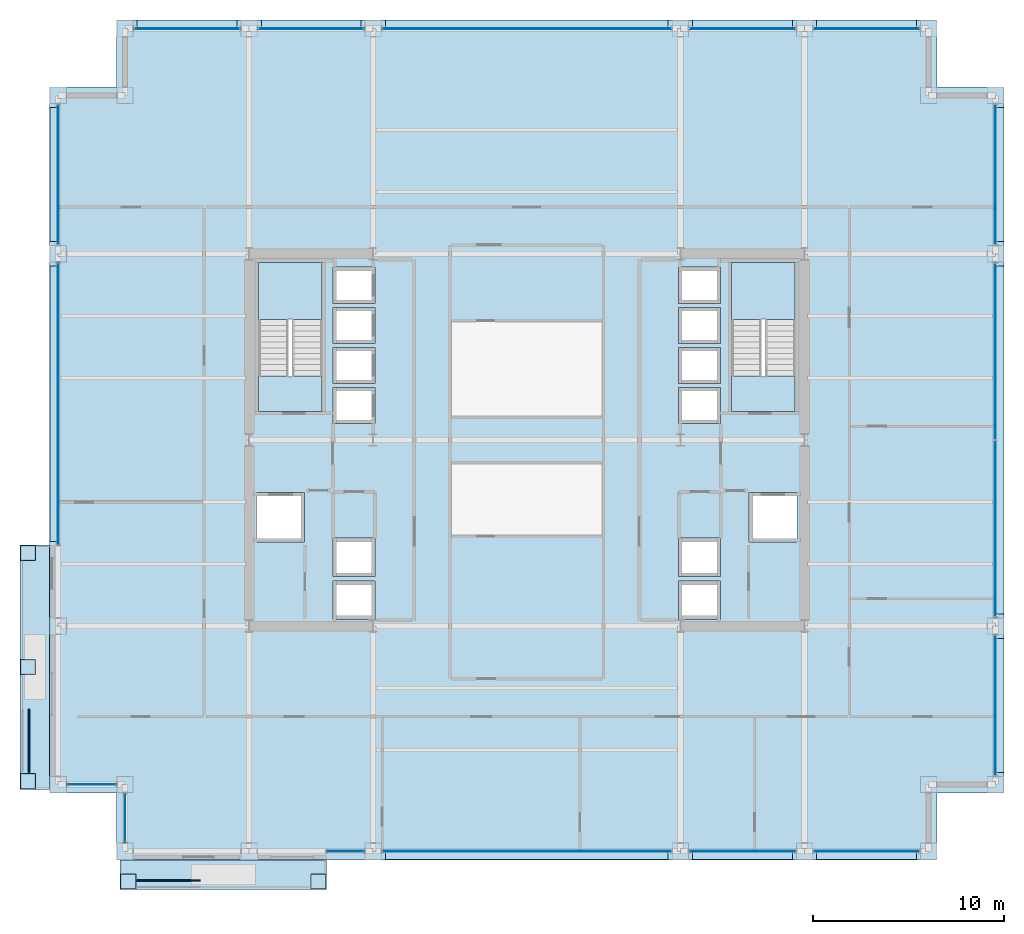
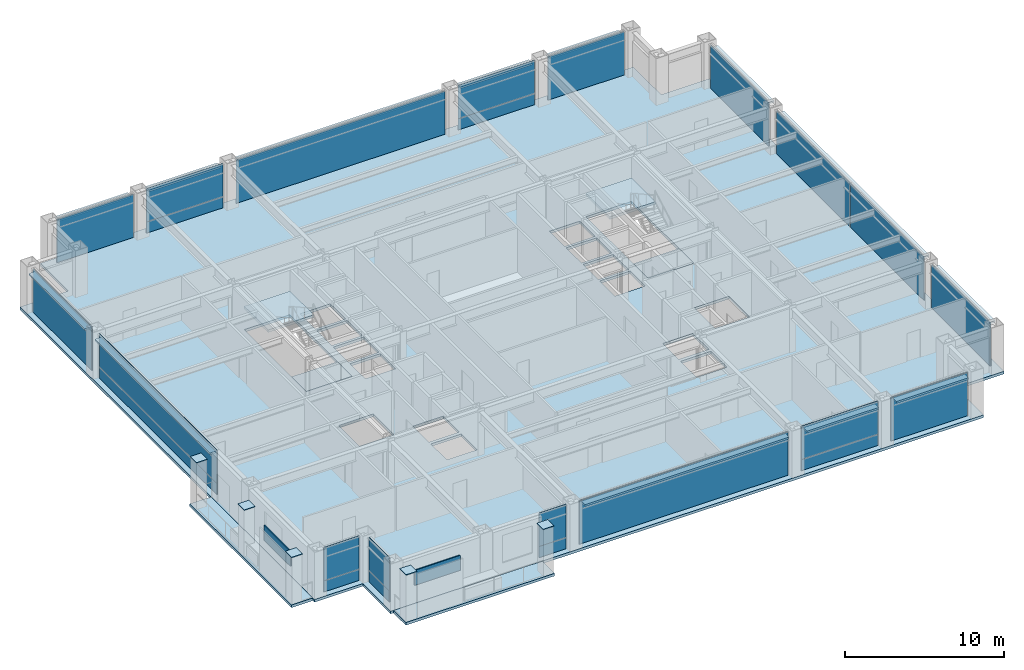
# One storey, part 23 of 29: 44 plates, 7 slabs, 18 elements without a shape of their own.
"""IFC4 building model written with IfcOpenShell, lengths in metres."""

from ifc_helpers import new_model, si_unit, direction, frame, origin, origin_2d, place, context, subcontext, project, spatial, polyline, rectangle, outline, extrude, material, layer, layer_set, type_object, element, aggregate, save


model = new_model("IFC4")

# Units and contexts
model_context = context("Model", 3, precision=1e-05, world=origin(), true_north=direction((0.0, 1.0)))
body_context = subcontext(model_context, "Body", "Model", "MODEL_VIEW")
ifc_project = project(units=[si_unit("LENGTHUNIT", "METRE"), si_unit("AREAUNIT", "SQUARE_METRE"), si_unit("VOLUMEUNIT", "CUBIC_METRE"), si_unit("PLANEANGLEUNIT", "RADIAN"), si_unit("MASSUNIT", "GRAM", prefix="KILO")], contexts=[model_context])

# Site, building, storey
site_placement = place(None, origin())
site = spatial("IfcSite", under=ifc_project, at=site_placement, CompositionType="ELEMENT")
building_placement = place(site_placement, origin())
building = spatial("IfcBuilding", under=site, at=building_placement, Name="Brelmoor Portico Tower", CompositionType="ELEMENT")
storey_placement = place(building_placement, frame((0.0, 0.0, 60.0)))
storey = spatial("IfcBuildingStorey", under=building, at=storey_placement, Name="L15", CompositionType="ELEMENT", Elevation=60.0)

# Plates
ifc_material_1 = material(Name="Steel Q355B", Category="steel")
ifc_layer_1 = layer(ifc_material_1, 0.044921875)
ifc_layer_set_1 = layer_set([ifc_layer_1], Name="Steel Q355B")
plate_type_1 = type_object("IfcPlateType", Name="PT-CAP-650", PredefinedType="SHEET", material=ifc_layer_set_1)
for number, where, z_axis, x_axis, name in (
    (1, (-26.1298828125, -17.8798828125, 3.60009765625), (0.0, 0.0, 1.0), (0.0, 1.0, 0.0), "L15 Proud Picture-Frame Pier PFJ-W1 Welded Head Cap Plate"),
    (2, (-26.1298828125, -5.919921875, 3.60009765625), (0.0, 0.0, 1.0), (0.0, 1.0, 0.0), "L15 Proud Picture-Frame Pier PFJ-W2 Welded Head Cap Plate"),
    (3, (-26.1298828125, -11.89990234375, 3.60009765625), (0.0, 0.0, 1.0), (0.0, 1.0, 0.0), "L15 Proud Picture-Frame Pier PFJ-W3 Welded Head Cap Plate"),
    (4, (-20.8798828125, -23.1298828125, 3.60009765625), (0.0, 0.0, 1.0), (1.0, 0.0, 0.0), "L15 Proud Picture-Frame Pier PFJ-S1 Welded Head Cap Plate"),
    (5, (-10.919921875, -23.1298828125, 3.60009765625), (0.0, 0.0, 1.0), (1.0, 0.0, 0.0), "L15 Proud Picture-Frame Pier PFJ-S2 Welded Head Cap Plate"),
):
    element("IfcPlate", number, at=place(storey_placement, frame(where, z_axis=z_axis, x_axis=x_axis)), inside=storey, type_object=plate_type_1, Name=name, PredefinedType="SHEET", context=body_context, shape_type="SweptSolid", body=[
        extrude(rectangle(XDim=0.7900390625, YDim=0.7900390625, at=origin_2d()), origin(), (0.0, 0.0, 1.0), 0.0400390625),
    ])

# Curtain wall, plate
ifc_material_2 = material(Name="Anodised Aluminium Alloy 6063-T6", Category="aluminium")
ifc_layer_2 = layer(ifc_material_2, 0.179931640625)
ifc_layer_set_2 = layer_set([ifc_layer_2], Name="Anodised Aluminium Alloy 6063-T6")
curtain_wall_type_1 = type_object("IfcCurtainWallType", Name="CW-TOWER-Z1", PredefinedType="NOTDEFINED", material=ifc_layer_set_2)
curtain_wall_1_placement = place(storey_placement, origin())
curtain_wall_1 = element("IfcCurtainWall", 6, at=curtain_wall_1_placement, inside=storey, type_object=curtain_wall_type_1, Name="L15 Curtain Wall CW-L15-1R-1", PredefinedType="NOTDEFINED")
ifc_material_3 = material(Name="Double-Silver Low-E Insulated Glazing", Category="glass")
ifc_layer_3 = layer(ifc_material_3, 0.035888671875)
ifc_layer_set_3 = layer_set([ifc_layer_3], Name="Double-Silver Low-E Insulated Glazing")
plate_type_2 = type_object("IfcPlateType", Name="PT-CW-GLASS", PredefinedType="CURTAIN_PANEL", material=ifc_layer_set_3)
plate_1_placement = place(storey_placement, frame((-9.5048828125, -21.550048828125, 0.85009765625), z_axis=(0.0, 0.0, 1.0), x_axis=(1.0, 0.0, 0.0)))
plate_1 = element("IfcPlate", 7, at=plate_1_placement, type_object=plate_type_2, Name="CW-L15-1R-1 Vision Glass Panel 00", PredefinedType="CURTAIN_PANEL", context=body_context, shape_type="SweptSolid", body=[
    extrude(rectangle(XDim=1.9599609375, YDim=0.035888671875, at=origin_2d()), origin(), (0.0, 0.0, 1.0), 2.550048828125),
])

curtain_wall_2_placement = place(storey_placement, origin())
curtain_wall_2 = element("IfcCurtainWall", 8, at=curtain_wall_2_placement, inside=storey, type_object=curtain_wall_type_1, Name="L15 Curtain Wall CW-L15-1R-3", PredefinedType="NOTDEFINED")
plate_2_placement = place(storey_placement, frame((11.300048828125, -21.550048828125, 0.85009765625), z_axis=(0.0, 0.0, 1.0), x_axis=(1.0, 0.0, 0.0)))
plate_2 = element("IfcPlate", 9, at=plate_2_placement, type_object=plate_type_2, Name="CW-L15-1R-3 Vision Glass Panel 00", PredefinedType="CURTAIN_PANEL", context=body_context, shape_type="SweptSolid", body=[
    extrude(rectangle(XDim=5.550048828125, YDim=0.035888671875, at=origin_2d()), origin(), (0.0, 0.0, 1.0), 2.550048828125),
])

curtain_wall_3_placement = place(storey_placement, origin())
curtain_wall_3 = element("IfcCurtainWall", 10, at=curtain_wall_3_placement, inside=storey, type_object=curtain_wall_type_1, Name="L15 Curtain Wall CW-L15-02-2", PredefinedType="NOTDEFINED")
plate_3_placement = place(storey_placement, frame((-11.300048828125, 21.550048828125, 0.85009765625), z_axis=(0.0, 0.0, 1.0), x_axis=(1.0, 0.0, 0.0)))
plate_3 = element("IfcPlate", 11, at=plate_3_placement, type_object=plate_type_2, Name="CW-L15-02-2 Vision Glass Panel 00", PredefinedType="CURTAIN_PANEL", context=body_context, shape_type="SweptSolid", body=[
    extrude(rectangle(XDim=5.550048828125, YDim=0.035888671875, at=origin_2d()), origin(), (0.0, 0.0, 1.0), 2.550048828125),
])

curtain_wall_4_placement = place(storey_placement, origin())
curtain_wall_4 = element("IfcCurtainWall", 12, at=curtain_wall_4_placement, inside=storey, type_object=curtain_wall_type_1, Name="L15 Curtain Wall CW-L15-02-4", PredefinedType="NOTDEFINED")
plate_4_placement = place(storey_placement, frame((11.300048828125, 21.550048828125, 0.85009765625), z_axis=(0.0, 0.0, 1.0), x_axis=(1.0, 0.0, 0.0)))
plate_4 = element("IfcPlate", 13, at=plate_4_placement, type_object=plate_type_2, Name="CW-L15-02-4 Vision Glass Panel 00", PredefinedType="CURTAIN_PANEL", context=body_context, shape_type="SweptSolid", body=[
    extrude(rectangle(XDim=5.550048828125, YDim=0.035888671875, at=origin_2d()), origin(), (0.0, 0.0, 1.0), 2.550048828125),
])

curtain_wall_5_placement = place(storey_placement, origin())
curtain_wall_5 = element("IfcCurtainWall", 14, at=curtain_wall_5_placement, inside=storey, type_object=curtain_wall_type_1, Name="L15 Curtain Wall CW-L15-3R-1", PredefinedType="NOTDEFINED")
plate_5_placement = place(storey_placement, frame((-24.550048828125, 1.89501953125, 0.85009765625), z_axis=(0.0, 0.0, 1.0), x_axis=(0.0, 1.0, 0.0)))
plate_5 = element("IfcPlate", 15, at=plate_5_placement, type_object=plate_type_2, Name="CW-L15-3R-1 Vision Glass Panel 00", PredefinedType="CURTAIN_PANEL", context=body_context, shape_type="SweptSolid", body=[
    extrude(rectangle(XDim=14.760009765625, YDim=0.035888671875, at=origin_2d()), origin(), (0.0, 0.0, 1.0), 2.550048828125),
])

ifc_layer_4 = layer(ifc_material_2, 0.179931640625)
ifc_layer_set_4 = layer_set([ifc_layer_4], Name="Anodised Aluminium Alloy 6063-T6")
curtain_wall_type_2 = type_object("IfcCurtainWallType", Name="CW-NOTCH-CHAMFER", PredefinedType="NOTDEFINED", material=ifc_layer_set_4)
curtain_wall_6_placement = place(storey_placement, origin())
curtain_wall_6 = element("IfcCurtainWall", 16, at=curtain_wall_6_placement, inside=storey, type_object=curtain_wall_type_2, Name="L15 Curtain Wall CWN-L15-SWH", PredefinedType="NOTDEFINED")
plate_6_placement = place(storey_placement, frame((-22.800048828125, -18.050048828125, 0.85009765625), z_axis=(0.0, 0.0, 1.0), x_axis=(1.0, 0.0, 0.0)))
plate_6 = element("IfcPlate", 17, at=plate_6_placement, type_object=plate_type_2, Name="CWN-L15-SWH Vision Glass Panel 00", PredefinedType="CURTAIN_PANEL", context=body_context, shape_type="SweptSolid", body=[
    extrude(rectangle(XDim=2.550048828125, YDim=0.035888671875, at=origin_2d()), origin(), (0.0, 0.0, 1.0), 2.550048828125),
])

curtain_wall_7_placement = place(storey_placement, origin())
curtain_wall_7 = element("IfcCurtainWall", 18, at=curtain_wall_7_placement, inside=storey, type_object=curtain_wall_type_2, Name="L15 Curtain Wall CWN-L15-SWV", PredefinedType="NOTDEFINED")
plate_7_placement = place(storey_placement, frame((-21.050048828125, -19.800048828125, 0.85009765625), z_axis=(0.0, 0.0, 1.0), x_axis=(0.0, 1.0, 0.0)))
plate_7 = element("IfcPlate", 19, at=plate_7_placement, type_object=plate_type_2, Name="CWN-L15-SWV Vision Glass Panel 00", PredefinedType="CURTAIN_PANEL", context=body_context, shape_type="SweptSolid", body=[
    extrude(rectangle(XDim=2.550048828125, YDim=0.035888671875, at=origin_2d()), origin(), (0.0, 0.0, 1.0), 2.550048828125),
])

# Plate
ifc_material_4 = material(Name="Pale Champagne Anodised Aluminium Panel", Category="aluminium")
ifc_layer_5 = layer(ifc_material_4, 0.050048828125)
ifc_layer_set_5 = layer_set([ifc_layer_5], Name="Pale Champagne Anodised Aluminium Panel")
plate_type_3 = type_object("IfcPlateType", Name="PT-CW-SPANDREL", PredefinedType="SHEET", material=ifc_layer_set_5)
plate_8_placement = place(storey_placement, frame((-9.5048828125, -21.550048828125, 0.0), z_axis=(0.0, 0.0, 1.0), x_axis=(1.0, 0.0, 0.0)))
plate_8 = element("IfcPlate", 20, at=plate_8_placement, type_object=plate_type_3, Name="CW-L15-1R-1 Spandrel Panel 00", PredefinedType="SHEET", context=body_context, shape_type="SweptSolid", body=[
    extrude(rectangle(XDim=1.9599609375, YDim=0.050048828125, at=origin_2d()), origin(), (0.0, 0.0, 1.0), 0.85009765625),
])

aggregate(curtain_wall_1, [plate_8, plate_1])

# Curtain wall, plate
ifc_layer_6 = layer(ifc_material_2, 0.179931640625)
ifc_layer_set_6 = layer_set([ifc_layer_6], Name="Anodised Aluminium Alloy 6063-T6")
curtain_wall_type_3 = type_object("IfcCurtainWallType", Name="CW-TOWER-Z1-XB", PredefinedType="NOTDEFINED", material=ifc_layer_set_6)
curtain_wall_8_placement = place(storey_placement, origin())
curtain_wall_8 = element("IfcCurtainWall", 21, at=curtain_wall_8_placement, inside=storey, type_object=curtain_wall_type_3, Name="L15 Curtain Wall CW-L15-1R-2", PredefinedType="NOTDEFINED")
plate_9_placement = place(storey_placement, frame((0.0, -21.550048828125, 0.0), z_axis=(0.0, 0.0, 1.0), x_axis=(1.0, 0.0, 0.0)))
plate_9 = element("IfcPlate", 22, at=plate_9_placement, type_object=plate_type_3, Name="CW-L15-1R-2 Spandrel Panel 00", PredefinedType="SHEET", context=body_context, shape_type="SweptSolid", body=[
    extrude(rectangle(XDim=15.14990234375, YDim=0.050048828125, at=origin_2d()), origin(), (0.0, 0.0, 1.0), 3.330078125),
])
aggregate(curtain_wall_8, [plate_9])

# Plate
plate_10_placement = place(storey_placement, frame((11.300048828125, -21.550048828125, 0.0), z_axis=(0.0, 0.0, 1.0), x_axis=(1.0, 0.0, 0.0)))
plate_10 = element("IfcPlate", 23, at=plate_10_placement, type_object=plate_type_3, Name="CW-L15-1R-3 Spandrel Panel 00", PredefinedType="SHEET", context=body_context, shape_type="SweptSolid", body=[
    extrude(rectangle(XDim=5.550048828125, YDim=0.050048828125, at=origin_2d()), origin(), (0.0, 0.0, 1.0), 0.85009765625),
])

aggregate(curtain_wall_2, [plate_10, plate_2])

# Curtain wall, plate
curtain_wall_9_placement = place(storey_placement, origin())
curtain_wall_9 = element("IfcCurtainWall", 24, at=curtain_wall_9_placement, inside=storey, type_object=curtain_wall_type_3, Name="L15 Curtain Wall CW-L15-1R-4", PredefinedType="NOTDEFINED")
plate_11_placement = place(storey_placement, frame((17.800048828125, -21.550048828125, 0.0), z_axis=(0.0, 0.0, 1.0), x_axis=(1.0, 0.0, 0.0)))
plate_11 = element("IfcPlate", 25, at=plate_11_placement, type_object=plate_type_3, Name="CW-L15-1R-4 Spandrel Panel 00", PredefinedType="SHEET", context=body_context, shape_type="SweptSolid", body=[
    extrude(rectangle(XDim=5.550048828125, YDim=0.050048828125, at=origin_2d()), origin(), (0.0, 0.0, 1.0), 3.330078125),
])
aggregate(curtain_wall_9, [plate_11])

curtain_wall_10_placement = place(storey_placement, origin())
curtain_wall_10 = element("IfcCurtainWall", 26, at=curtain_wall_10_placement, inside=storey, type_object=curtain_wall_type_3, Name="L15 Curtain Wall CW-L15-02-1", PredefinedType="NOTDEFINED")
plate_12_placement = place(storey_placement, frame((-17.800048828125, 21.550048828125, 0.0), z_axis=(0.0, 0.0, 1.0), x_axis=(1.0, 0.0, 0.0)))
plate_12 = element("IfcPlate", 27, at=plate_12_placement, type_object=plate_type_3, Name="CW-L15-02-1 Spandrel Panel 00", PredefinedType="SHEET", context=body_context, shape_type="SweptSolid", body=[
    extrude(rectangle(XDim=5.550048828125, YDim=0.050048828125, at=origin_2d()), origin(), (0.0, 0.0, 1.0), 3.330078125),
])
aggregate(curtain_wall_10, [plate_12])

# Plate
plate_13_placement = place(storey_placement, frame((-11.300048828125, 21.550048828125, 0.0), z_axis=(0.0, 0.0, 1.0), x_axis=(1.0, 0.0, 0.0)))
plate_13 = element("IfcPlate", 28, at=plate_13_placement, type_object=plate_type_3, Name="CW-L15-02-2 Spandrel Panel 00", PredefinedType="SHEET", context=body_context, shape_type="SweptSolid", body=[
    extrude(rectangle(XDim=5.550048828125, YDim=0.050048828125, at=origin_2d()), origin(), (0.0, 0.0, 1.0), 0.85009765625),
])

aggregate(curtain_wall_3, [plate_13, plate_3])

# Curtain wall, plate
curtain_wall_11_placement = place(storey_placement, origin())
curtain_wall_11 = element("IfcCurtainWall", 29, at=curtain_wall_11_placement, inside=storey, type_object=curtain_wall_type_3, Name="L15 Curtain Wall CW-L15-02-3", PredefinedType="NOTDEFINED")
plate_14_placement = place(storey_placement, frame((0.0, 21.550048828125, 0.0), z_axis=(0.0, 0.0, 1.0), x_axis=(1.0, 0.0, 0.0)))
plate_14 = element("IfcPlate", 30, at=plate_14_placement, type_object=plate_type_3, Name="CW-L15-02-3 Spandrel Panel 00", PredefinedType="SHEET", context=body_context, shape_type="SweptSolid", body=[
    extrude(rectangle(XDim=15.14990234375, YDim=0.050048828125, at=origin_2d()), origin(), (0.0, 0.0, 1.0), 3.330078125),
])
aggregate(curtain_wall_11, [plate_14])

# Plate
plate_15_placement = place(storey_placement, frame((11.300048828125, 21.550048828125, 0.0), z_axis=(0.0, 0.0, 1.0), x_axis=(1.0, 0.0, 0.0)))
plate_15 = element("IfcPlate", 31, at=plate_15_placement, type_object=plate_type_3, Name="CW-L15-02-4 Spandrel Panel 00", PredefinedType="SHEET", context=body_context, shape_type="SweptSolid", body=[
    extrude(rectangle(XDim=5.550048828125, YDim=0.050048828125, at=origin_2d()), origin(), (0.0, 0.0, 1.0), 0.85009765625),
])

aggregate(curtain_wall_4, [plate_15, plate_4])

# Curtain wall, plate
curtain_wall_12_placement = place(storey_placement, origin())
curtain_wall_12 = element("IfcCurtainWall", 32, at=curtain_wall_12_placement, inside=storey, type_object=curtain_wall_type_3, Name="L15 Curtain Wall CW-L15-02-5", PredefinedType="NOTDEFINED")
plate_16_placement = place(storey_placement, frame((17.800048828125, 21.550048828125, 0.0), z_axis=(0.0, 0.0, 1.0), x_axis=(1.0, 0.0, 0.0)))
plate_16 = element("IfcPlate", 33, at=plate_16_placement, type_object=plate_type_3, Name="CW-L15-02-5 Spandrel Panel 00", PredefinedType="SHEET", context=body_context, shape_type="SweptSolid", body=[
    extrude(rectangle(XDim=5.550048828125, YDim=0.050048828125, at=origin_2d()), origin(), (0.0, 0.0, 1.0), 3.330078125),
])
aggregate(curtain_wall_12, [plate_16])

# Plate
plate_17_placement = place(storey_placement, frame((-24.550048828125, 1.89501953125, 0.0), z_axis=(0.0, 0.0, 1.0), x_axis=(0.0, 1.0, 0.0)))
plate_17 = element("IfcPlate", 34, at=plate_17_placement, type_object=plate_type_3, Name="CW-L15-3R-1 Spandrel Panel 00", PredefinedType="SHEET", context=body_context, shape_type="SweptSolid", body=[
    extrude(rectangle(XDim=14.760009765625, YDim=0.050048828125, at=origin_2d()), origin(), (0.0, 0.0, 1.0), 0.85009765625),
])

aggregate(curtain_wall_5, [plate_17, plate_5])

# Curtain wall, plate
curtain_wall_13_placement = place(storey_placement, origin())
curtain_wall_13 = element("IfcCurtainWall", 35, at=curtain_wall_13_placement, inside=storey, type_object=curtain_wall_type_3, Name="L15 Curtain Wall CW-L15-3R-2", PredefinedType="NOTDEFINED")
plate_18_placement = place(storey_placement, frame((-24.550048828125, 13.89990234375, 0.0), z_axis=(0.0, 0.0, 1.0), x_axis=(0.0, 1.0, 0.0)))
plate_18 = element("IfcPlate", 36, at=plate_18_placement, type_object=plate_type_3, Name="CW-L15-3R-2 Spandrel Panel 00", PredefinedType="SHEET", context=body_context, shape_type="SweptSolid", body=[
    extrude(rectangle(XDim=7.35009765625, YDim=0.050048828125, at=origin_2d()), origin(), (0.0, 0.0, 1.0), 3.330078125),
])
aggregate(curtain_wall_13, [plate_18])

curtain_wall_14_placement = place(storey_placement, origin())
curtain_wall_14 = element("IfcCurtainWall", 37, at=curtain_wall_14_placement, inside=storey, type_object=curtain_wall_type_3, Name="L15 Curtain Wall CW-L15-04-1", PredefinedType="NOTDEFINED")
plate_19_placement = place(storey_placement, frame((24.550048828125, -13.89990234375, 0.0), z_axis=(0.0, 0.0, 1.0), x_axis=(0.0, 1.0, 0.0)))
plate_19 = element("IfcPlate", 38, at=plate_19_placement, type_object=plate_type_3, Name="CW-L15-04-1 Spandrel Panel 00", PredefinedType="SHEET", context=body_context, shape_type="SweptSolid", body=[
    extrude(rectangle(XDim=7.35009765625, YDim=0.050048828125, at=origin_2d()), origin(), (0.0, 0.0, 1.0), 3.330078125),
])
aggregate(curtain_wall_14, [plate_19])

# Curtain wall, plates
curtain_wall_15_placement = place(storey_placement, origin())
curtain_wall_15 = element("IfcCurtainWall", 39, at=curtain_wall_15_placement, inside=storey, type_object=curtain_wall_type_3, Name="L15 Curtain Wall CW-L15-04-2", PredefinedType="NOTDEFINED")
plate_20_placement = place(storey_placement, frame((24.550048828125, -4.64501953125, 0.0), z_axis=(0.0, 0.0, 1.0), x_axis=(0.0, 1.0, 0.0)))
plate_20 = element("IfcPlate", 40, at=plate_20_placement, type_object=plate_type_3, Name="CW-L15-04-2 Spandrel Panel 00", PredefinedType="SHEET", context=body_context, shape_type="SweptSolid", body=[
    extrude(rectangle(XDim=9.260009765625, YDim=0.050048828125, at=origin_2d()), origin(), (0.0, 0.0, 1.0), 3.330078125),
])
plate_21_placement = place(storey_placement, frame((24.550048828125, 4.64501953125, 0.0), z_axis=(0.0, 0.0, 1.0), x_axis=(0.0, 1.0, 0.0)))
plate_21 = element("IfcPlate", 41, at=plate_21_placement, type_object=plate_type_3, Name="CW-L15-04-2 Spandrel Panel 01", PredefinedType="SHEET", context=body_context, shape_type="SweptSolid", body=[
    extrude(rectangle(XDim=9.260009765625, YDim=0.050048828125, at=origin_2d()), origin(), (0.0, 0.0, 1.0), 3.330078125),
])
aggregate(curtain_wall_15, [plate_20, plate_21])

# Curtain wall, plate
curtain_wall_16_placement = place(storey_placement, origin())
curtain_wall_16 = element("IfcCurtainWall", 42, at=curtain_wall_16_placement, inside=storey, type_object=curtain_wall_type_3, Name="L15 Curtain Wall CW-L15-04-3", PredefinedType="NOTDEFINED")
plate_22_placement = place(storey_placement, frame((24.550048828125, 13.89990234375, 0.0), z_axis=(0.0, 0.0, 1.0), x_axis=(0.0, 1.0, 0.0)))
plate_22 = element("IfcPlate", 43, at=plate_22_placement, type_object=plate_type_3, Name="CW-L15-04-3 Spandrel Panel 00", PredefinedType="SHEET", context=body_context, shape_type="SweptSolid", body=[
    extrude(rectangle(XDim=7.35009765625, YDim=0.050048828125, at=origin_2d()), origin(), (0.0, 0.0, 1.0), 3.330078125),
])
aggregate(curtain_wall_16, [plate_22])

# Plate
plate_23_placement = place(storey_placement, frame((-22.800048828125, -18.050048828125, 0.0), z_axis=(0.0, 0.0, 1.0), x_axis=(1.0, 0.0, 0.0)))
plate_23 = element("IfcPlate", 44, at=plate_23_placement, type_object=plate_type_3, Name="CWN-L15-SWH Spandrel Panel 00", PredefinedType="SHEET", context=body_context, shape_type="SweptSolid", body=[
    extrude(rectangle(XDim=2.550048828125, YDim=0.050048828125, at=origin_2d()), origin(), (0.0, 0.0, 1.0), 0.85009765625),
])

aggregate(curtain_wall_6, [plate_23, plate_6])

plate_24_placement = place(storey_placement, frame((-21.050048828125, -19.800048828125, 0.0), z_axis=(0.0, 0.0, 1.0), x_axis=(0.0, 1.0, 0.0)))
plate_24 = element("IfcPlate", 45, at=plate_24_placement, type_object=plate_type_3, Name="CWN-L15-SWV Spandrel Panel 00", PredefinedType="SHEET", context=body_context, shape_type="SweptSolid", body=[
    extrude(rectangle(XDim=2.550048828125, YDim=0.050048828125, at=origin_2d()), origin(), (0.0, 0.0, 1.0), 0.85009765625),
])

aggregate(curtain_wall_7, [plate_24, plate_7])

# Plates
ifc_material_5 = material(Name="Powder-Coated Aluminium Shuttered Jalousie Louvre", Category="aluminium")
ifc_layer_7 = layer(ifc_material_5, 0.06005859375)
ifc_layer_set_7 = layer_set([ifc_layer_7], Name="Powder-Coated Aluminium Shuttered Jalousie Louvre")
plate_type_4 = type_object("IfcPlateType", Name="PT-JALOUSIE-SHUTTER", PredefinedType="SHEET", material=ifc_layer_set_7)
for number, where, z_axis, x_axis, name in (
    (46, (-18.75, -23.080078125, 2.275146484375), (0.0, 0.0, 1.0), (1.0, 0.0, 0.0), "L15 Shuttered Veranda Screen S"),
    (47, (-26.080078125, -15.75, 2.275146484375), (0.0, 0.0, 1.0), (0.0, 1.0, 0.0), "L15 Shuttered Veranda Screen W"),
):
    element("IfcPlate", number, at=place(storey_placement, frame(where, z_axis=z_axis, x_axis=x_axis)), inside=storey, type_object=plate_type_4, Name=name, PredefinedType="SHEET", context=body_context, shape_type="SweptSolid", body=[
        extrude(rectangle(XDim=3.300048828125, YDim=0.080078125, at=origin_2d()), origin(), (0.0, 0.0, 1.0), 1.14990234375),
    ])
ifc_material_6 = material(Name="Pale Champagne Perforated Aluminium Solar Screen", Category="aluminium")
ifc_layer_8 = layer(ifc_material_6, 0.054931640625)
ifc_layer_set_8 = layer_set([ifc_layer_8], Name="Pale Champagne Perforated Aluminium Solar Screen")
plate_type_5 = type_object("IfcPlateType", Name="PT-SOLAR-LOUVRE", PredefinedType="SHEET", material=ifc_layer_set_8)
plate_25_placement = place(storey_placement, frame((0.0, -21.760009765625, 3.08984375), z_axis=(0.0, 0.0, 1.0), x_axis=(1.0, 0.0, 0.0)))
element("IfcPlate", 48, at=plate_25_placement, inside=storey, type_object=plate_type_5, Name="CW-L15-1R-2 Caribbean Brise-Soleil Solar Screen", PredefinedType="SHEET", context=body_context, shape_type="SweptSolid", body=[
    extrude(rectangle(XDim=14.820068359375, YDim=0.4599609375, at=origin_2d()), origin(), (0.0, 0.0, 1.0), 0.139892578125),
])
for number, where, z_axis, x_axis, name in (
    (49, (11.300048828125, -21.760009765625, 3.08984375), (0.0, 0.0, 1.0), (1.0, 0.0, 0.0), "CW-L15-1R-3 Caribbean Brise-Soleil Solar Screen"),
    (50, (17.800048828125, -21.760009765625, 3.08984375), (0.0, 0.0, 1.0), (1.0, 0.0, 0.0), "CW-L15-1R-4 Caribbean Brise-Soleil Solar Screen"),
    (51, (-17.800048828125, 21.760009765625, 3.08984375), (0.0, 0.0, 1.0), (1.0, 0.0, 0.0), "CW-L15-02-1 Caribbean Brise-Soleil Solar Screen"),
    (52, (-11.300048828125, 21.760009765625, 3.08984375), (0.0, 0.0, 1.0), (1.0, 0.0, 0.0), "CW-L15-02-2 Caribbean Brise-Soleil Solar Screen"),
):
    element("IfcPlate", number, at=place(storey_placement, frame(where, z_axis=z_axis, x_axis=x_axis)), inside=storey, type_object=plate_type_5, Name=name, PredefinedType="SHEET", context=body_context, shape_type="SweptSolid", body=[
        extrude(rectangle(XDim=5.219970703125, YDim=0.4599609375, at=origin_2d()), origin(), (0.0, 0.0, 1.0), 0.139892578125),
    ])
plate_26_placement = place(storey_placement, frame((0.0, 21.760009765625, 3.08984375), z_axis=(0.0, 0.0, 1.0), x_axis=(1.0, 0.0, 0.0)))
element("IfcPlate", 53, at=plate_26_placement, inside=storey, type_object=plate_type_5, Name="CW-L15-02-3 Caribbean Brise-Soleil Solar Screen", PredefinedType="SHEET", context=body_context, shape_type="SweptSolid", body=[
    extrude(rectangle(XDim=14.820068359375, YDim=0.4599609375, at=origin_2d()), origin(), (0.0, 0.0, 1.0), 0.139892578125),
])
for number, where, z_axis, x_axis, name in (
    (54, (11.300048828125, 21.760009765625, 3.08984375), (0.0, 0.0, 1.0), (1.0, 0.0, 0.0), "CW-L15-02-4 Caribbean Brise-Soleil Solar Screen"),
    (55, (17.800048828125, 21.760009765625, 3.08984375), (0.0, 0.0, 1.0), (1.0, 0.0, 0.0), "CW-L15-02-5 Caribbean Brise-Soleil Solar Screen"),
):
    element("IfcPlate", number, at=place(storey_placement, frame(where, z_axis=z_axis, x_axis=x_axis)), inside=storey, type_object=plate_type_5, Name=name, PredefinedType="SHEET", context=body_context, shape_type="SweptSolid", body=[
        extrude(rectangle(XDim=5.219970703125, YDim=0.4599609375, at=origin_2d()), origin(), (0.0, 0.0, 1.0), 0.139892578125),
    ])
plate_27_placement = place(storey_placement, frame((-24.760009765625, 1.89501953125, 3.08984375), z_axis=(0.0, 0.0, 1.0), x_axis=(0.0, 1.0, 0.0)))
element("IfcPlate", 56, at=plate_27_placement, inside=storey, type_object=plate_type_5, Name="CW-L15-3R-1 Caribbean Brise-Soleil Solar Screen", PredefinedType="SHEET", context=body_context, shape_type="SweptSolid", body=[
    extrude(rectangle(XDim=14.429931640625, YDim=0.4599609375, at=origin_2d()), origin(), (0.0, 0.0, 1.0), 0.139892578125),
])
for number, where, z_axis, x_axis, name in (
    (57, (-24.760009765625, 13.89990234375, 3.08984375), (0.0, 0.0, 1.0), (0.0, 1.0, 0.0), "CW-L15-3R-2 Caribbean Brise-Soleil Solar Screen"),
    (58, (24.760009765625, -13.89990234375, 3.08984375), (0.0, 0.0, 1.0), (0.0, 1.0, 0.0), "CW-L15-04-1 Caribbean Brise-Soleil Solar Screen"),
):
    element("IfcPlate", number, at=place(storey_placement, frame(where, z_axis=z_axis, x_axis=x_axis)), inside=storey, type_object=plate_type_5, Name=name, PredefinedType="SHEET", context=body_context, shape_type="SweptSolid", body=[
        extrude(rectangle(XDim=7.02001953125, YDim=0.4599609375, at=origin_2d()), origin(), (0.0, 0.0, 1.0), 0.139892578125),
    ])
plate_28_placement = place(storey_placement, frame((24.760009765625, 0.0, 3.08984375), z_axis=(0.0, 0.0, 1.0), x_axis=(0.0, 1.0, 0.0)))
element("IfcPlate", 59, at=plate_28_placement, inside=storey, type_object=plate_type_5, Name="CW-L15-04-2 Caribbean Brise-Soleil Solar Screen", PredefinedType="SHEET", context=body_context, shape_type="SweptSolid", body=[
    extrude(rectangle(XDim=18.219970703125, YDim=0.4599609375, at=origin_2d()), origin(), (0.0, 0.0, 1.0), 0.139892578125),
])
plate_29_placement = place(storey_placement, frame((24.760009765625, 13.89990234375, 3.08984375), z_axis=(0.0, 0.0, 1.0), x_axis=(0.0, 1.0, 0.0)))
element("IfcPlate", 60, at=plate_29_placement, inside=storey, type_object=plate_type_5, Name="CW-L15-04-3 Caribbean Brise-Soleil Solar Screen", PredefinedType="SHEET", context=body_context, shape_type="SweptSolid", body=[
    extrude(rectangle(XDim=7.02001953125, YDim=0.4599609375, at=origin_2d()), origin(), (0.0, 0.0, 1.0), 0.139892578125),
])

# Slabs
ifc_material_7 = material(Name="Concrete C40", Category="concrete")
ifc_layer_9 = layer(ifc_material_7, 0.199951171875)
ifc_layer_set_9 = layer_set([ifc_layer_9], Name="Concrete C40")
slab_type_1 = type_object("IfcSlabType", Name="SL-BALCONY-200", PredefinedType="FLOOR", material=ifc_layer_set_9)
slab_1_placement = place(storey_placement, frame((0.0, 0.0, -0.199951171875)))
element("IfcSlab", 61, at=slab_1_placement, inside=storey, type_object=slab_type_1, Name="L15 Loggia Tree Balcony Slab W", PredefinedType="FLOOR", context=body_context, shape_type="SweptSolid", body=[
    extrude(outline(polyline([(-26.550048828125, -18.300048828125), (-25.0, -18.300048828125), (-25.0, -5.5), (-26.550048828125, -5.5), (-26.550048828125, -18.300048828125)])), origin(), (0.0, 0.0, 1.0), 0.199951171875),
])
slab_2_placement = place(storey_placement, frame((0.0, 0.0, -0.199951171875)))
element("IfcSlab", 62, at=slab_2_placement, inside=storey, type_object=slab_type_1, Name="L15 Loggia Tree Balcony Slab S", PredefinedType="FLOOR", context=body_context, shape_type="SweptSolid", body=[
    extrude(outline(polyline([(-21.300048828125, -23.550048828125), (-10.5, -23.550048828125), (-10.5, -22.0), (-21.300048828125, -22.0), (-21.300048828125, -23.550048828125)])), origin(), (0.0, 0.0, 1.0), 0.199951171875),
])
ifc_layer_10 = layer(ifc_material_7, 0.199951171875)
ifc_layer_set_10 = layer_set([ifc_layer_10], Name="Concrete C40")
slab_type_2 = type_object("IfcSlabType", Name="SL-FLOOR-200", PredefinedType="FLOOR", material=ifc_layer_set_10)
slab_3_placement = place(storey_placement, frame((0.0, 0.0, -0.199951171875)))
element("IfcSlab", 63, at=slab_3_placement, inside=storey, type_object=slab_type_2, Name="L15 Main Structural Floor Slab", PredefinedType="FLOOR", context=body_context, shape_type="SweptSolid", body=[
    extrude(outline(polyline([(-21.5, -22.0), (21.5, -22.0), (21.5, -18.5), (25.0, -18.5), (25.0, 18.5), (21.5, 18.5), (21.5, 22.0), (-21.5, 22.0), (-21.5, 18.5), (-25.0, 18.5), (-25.0, -18.5), (-21.5, -18.5), (-21.5, -22.0)]), holes=[polyline([(-10.72998046875, 1.5), (-10.72998046875, 9.300048828125), (-14.050048828125, 9.300048828125), (-14.050048828125, 1.5), (-10.72998046875, 1.5)]), polyline([(14.050048828125, 1.5), (14.050048828125, 9.300048828125), (10.72998046875, 9.300048828125), (10.72998046875, 1.5), (14.050048828125, 1.5)]), polyline([(-10.14990234375, 0.85009765625), (-7.949951171875, 0.85009765625), (-7.949951171875, 2.75), (-10.14990234375, 2.75), (-10.14990234375, 0.85009765625)]), polyline([(-10.14990234375, 2.949951171875), (-7.949951171875, 2.949951171875), (-7.949951171875, 4.85009765625), (-10.14990234375, 4.85009765625), (-10.14990234375, 2.949951171875)]), polyline([(-10.14990234375, 5.050048828125), (-7.949951171875, 5.050048828125), (-7.949951171875, 6.949951171875), (-10.14990234375, 6.949951171875), (-10.14990234375, 5.050048828125)]), polyline([(-10.14990234375, 7.14990234375), (-7.949951171875, 7.14990234375), (-7.949951171875, 9.050048828125), (-10.14990234375, 9.050048828125), (-10.14990234375, 7.14990234375)]), polyline([(7.949951171875, 0.85009765625), (10.14990234375, 0.85009765625), (10.14990234375, 2.75), (7.949951171875, 2.75), (7.949951171875, 0.85009765625)]), polyline([(7.949951171875, 2.949951171875), (10.14990234375, 2.949951171875), (10.14990234375, 4.85009765625), (7.949951171875, 4.85009765625), (7.949951171875, 2.949951171875)]), polyline([(7.949951171875, 5.050048828125), (10.14990234375, 5.050048828125), (10.14990234375, 6.949951171875), (7.949951171875, 6.949951171875), (7.949951171875, 5.050048828125)]), polyline([(7.949951171875, 7.14990234375), (10.14990234375, 7.14990234375), (10.14990234375, 9.050048828125), (7.949951171875, 9.050048828125), (7.949951171875, 7.14990234375)]), polyline([(-10.14990234375, -9.39990234375), (-7.949951171875, -9.39990234375), (-7.949951171875, -7.39990234375), (-10.14990234375, -7.39990234375), (-10.14990234375, -9.39990234375)]), polyline([(-10.14990234375, -7.14990234375), (-7.949951171875, -7.14990234375), (-7.949951171875, -5.14990234375), (-10.14990234375, -5.14990234375), (-10.14990234375, -7.14990234375)]), polyline([(7.949951171875, -9.39990234375), (10.14990234375, -9.39990234375), (10.14990234375, -7.39990234375), (7.949951171875, -7.39990234375), (7.949951171875, -9.39990234375)]), polyline([(7.949951171875, -7.14990234375), (10.14990234375, -7.14990234375), (10.14990234375, -5.14990234375), (7.949951171875, -5.14990234375), (7.949951171875, -7.14990234375)]), polyline([(-14.14990234375, -5.35009765625), (-11.64990234375, -5.35009765625), (-11.64990234375, -2.75), (-14.14990234375, -2.75), (-14.14990234375, -5.35009765625)]), polyline([(11.64990234375, -5.35009765625), (14.14990234375, -5.35009765625), (14.14990234375, -2.75), (11.64990234375, -2.75), (11.64990234375, -5.35009765625)])]), origin(), (0.0, 0.0, 1.0), 0.199951171875),
])

# Stair, slab
stair_type_1 = type_object("IfcStairType", Name="ST-CORE-W", PredefinedType="HALF_TURN_STAIR", material=ifc_material_7)
stair_1_placement = place(storey_placement, origin())
stair_1 = element("IfcStair", 64, at=stair_1_placement, inside=storey, type_object=stair_type_1, Name="L15 Protected Core Exit Stair ST-W", PredefinedType="HALF_TURN_STAIR")
ifc_layer_11 = layer(ifc_material_7, 0.179931640625)
ifc_layer_set_11 = layer_set([ifc_layer_11], Name="Concrete C40")
slab_type_3 = type_object("IfcSlabType", Name="SL-LANDING-180", PredefinedType="LANDING", material=ifc_layer_set_11)
slab_4_placement = place(storey_placement, frame((0.0, 0.0, 1.60009765625)))
slab_4 = element("IfcSlab", 65, at=slab_4_placement, type_object=slab_type_3, Name="ST-W landing 1", PredefinedType="LANDING", context=body_context, shape_type="SweptSolid", body=[
    extrude(outline(polyline([(-10.72998046875, 6.300048828125), (-10.72998046875, 9.300048828125), (-14.050048828125, 9.300048828125), (-14.050048828125, 6.300048828125), (-10.72998046875, 6.300048828125)])), origin(), (0.0, 0.0, 1.0), 0.199951171875),
])
aggregate(stair_1, [slab_4])

stair_type_2 = type_object("IfcStairType", Name="ST-CORE-E", PredefinedType="HALF_TURN_STAIR", material=ifc_material_7)
stair_2_placement = place(storey_placement, origin())
stair_2 = element("IfcStair", 66, at=stair_2_placement, inside=storey, type_object=stair_type_2, Name="L15 Protected Core Exit Stair ST-E", PredefinedType="HALF_TURN_STAIR")
slab_5_placement = place(storey_placement, frame((0.0, 0.0, 1.60009765625)))
slab_5 = element("IfcSlab", 67, at=slab_5_placement, type_object=slab_type_3, Name="ST-E landing 1", PredefinedType="LANDING", context=body_context, shape_type="SweptSolid", body=[
    extrude(outline(polyline([(14.050048828125, 6.300048828125), (14.050048828125, 9.300048828125), (10.72998046875, 9.300048828125), (10.72998046875, 6.300048828125), (14.050048828125, 6.300048828125)])), origin(), (0.0, 0.0, 1.0), 0.199951171875),
])
aggregate(stair_2, [slab_5])

# Slabs
ifc_layer_12 = layer(ifc_material_7, 0.199951171875)
ifc_layer_set_12 = layer_set([ifc_layer_12], Name="Concrete C40")
slab_type_4 = type_object("IfcSlabType", Name="SL-STAIR-FL200", PredefinedType="LANDING", material=ifc_layer_set_12)
slab_6_placement = place(storey_placement, frame((0.0, 0.0, -0.199951171875)))
element("IfcSlab", 68, at=slab_6_placement, inside=storey, type_object=slab_type_4, Name="L15 ST-W Structural Floor Landing Slab", PredefinedType="LANDING", context=body_context, shape_type="SweptSolid", body=[
    extrude(outline(polyline([(-10.72998046875, 1.5), (-10.72998046875, 3.35009765625), (-14.050048828125, 3.35009765625), (-14.050048828125, 1.5), (-10.72998046875, 1.5)])), origin(), (0.0, 0.0, 1.0), 0.199951171875),
])
slab_7_placement = place(storey_placement, frame((0.0, 0.0, -0.199951171875)))
element("IfcSlab", 69, at=slab_7_placement, inside=storey, type_object=slab_type_4, Name="L15 ST-E Structural Floor Landing Slab", PredefinedType="LANDING", context=body_context, shape_type="SweptSolid", body=[
    extrude(outline(polyline([(14.050048828125, 1.5), (14.050048828125, 3.35009765625), (10.72998046875, 3.35009765625), (10.72998046875, 1.5), (14.050048828125, 1.5)])), origin(), (0.0, 0.0, 1.0), 0.199951171875),
])

save(model, "model.ifc")
